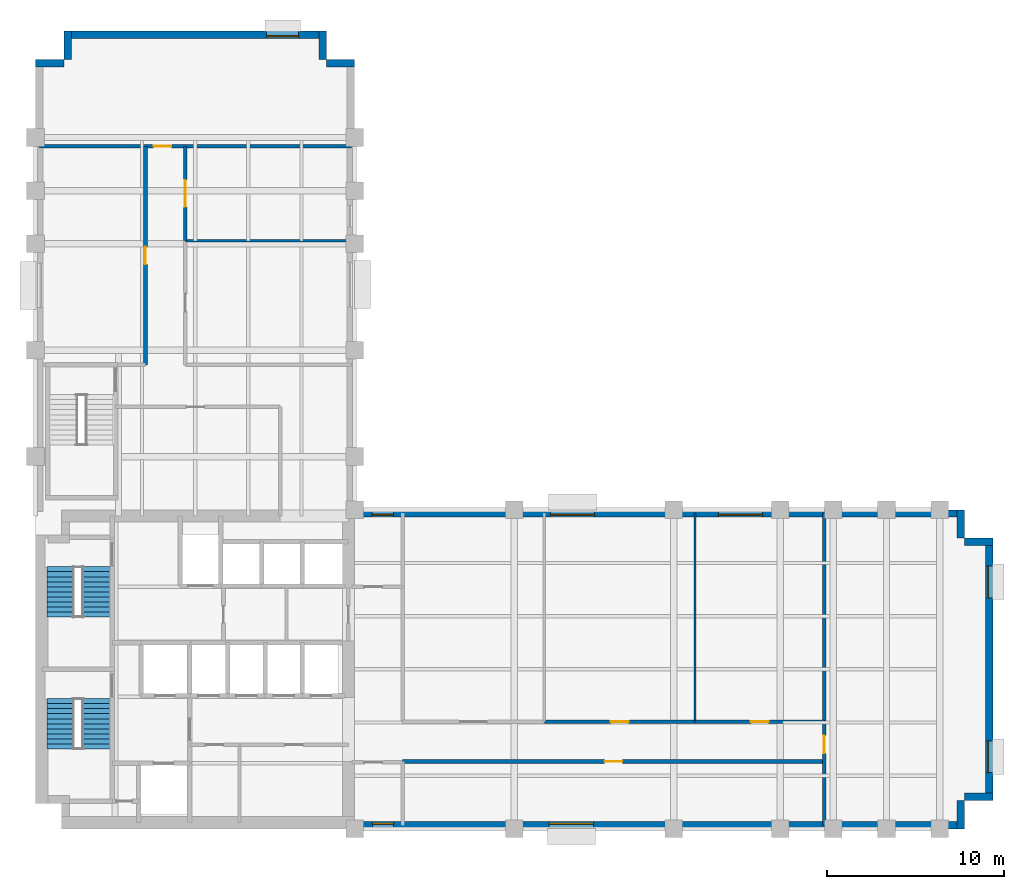
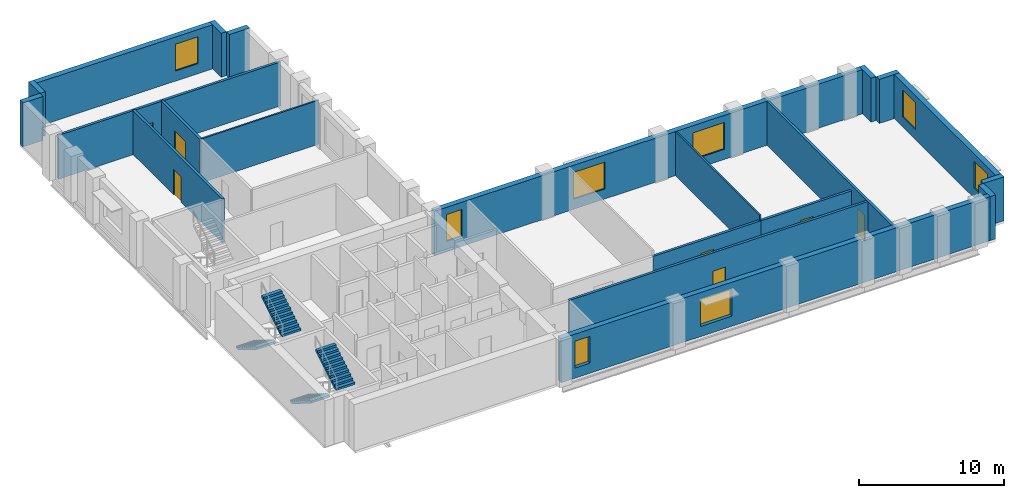
# One storey, part 5 of 8: 21 walls, 8 windows, 7 doors, 4 stair flights, 15 openings, 2 elements without a shape of their own.
"""IFC4 building model written with IfcOpenShell, lengths in metres."""

from ifc_helpers import new_model, si_unit, direction, frame, frame_2d, origin, place, context, subcontext, project, spatial, polyline, rectangle, outline, extrude, material, layer, layer_set, type_object, element, fill, aggregate, save


model = new_model("IFC4")

# Units and contexts
model_context = context("Model", 3, precision=1e-05, world=origin(), true_north=direction((0.0, 1.0)))
body_context = subcontext(model_context, "Body", "Model", "MODEL_VIEW")
ifc_project = project(units=[si_unit("LENGTHUNIT", "METRE"), si_unit("AREAUNIT", "SQUARE_METRE"), si_unit("VOLUMEUNIT", "CUBIC_METRE"), si_unit("PLANEANGLEUNIT", "RADIAN"), si_unit("MASSUNIT", "GRAM", prefix="KILO")], contexts=[model_context])

# Site, building, storey
site_placement = place(None, origin())
site = spatial("IfcSite", under=ifc_project, at=site_placement, CompositionType="ELEMENT")
building_placement = place(site_placement, origin())
building = spatial("IfcBuilding", under=site, at=building_placement, Name="Mawjdan Bourse Tower", CompositionType="ELEMENT")
storey_placement = place(building_placement, frame((0.0, 0.0, 144.0)))
storey = spatial("IfcBuildingStorey", under=building, at=storey_placement, Name="L34", CompositionType="ELEMENT", Elevation=144.0)

# Wall, openings, windows
ifc_material_1 = material(Name="Brick Masonry Buff", Category="masonry")
ifc_layer_1 = layer(ifc_material_1, 0.419921875)
ifc_layer_set_1 = layer_set([ifc_layer_1], Name="Brick Masonry Buff")
wall_type_1 = type_object("IfcWallType", Name="WL-BRK-BUFF-420", PredefinedType="STANDARD", material=ifc_layer_set_1)
wall_1_placement = place(storey_placement, frame((23.89990234375, 3.2099609375, 0.0), z_axis=(0.0, 0.0, 1.0), x_axis=(1.0, 0.0, 0.0)))
wall_1 = element("IfcWall", 1, at=wall_1_placement, inside=storey, type_object=wall_type_1, Name="L34 Exterior Brick Wall 1", PredefinedType="STANDARD", context=body_context, shape_type="SweptSolid", body=[
    extrude(rectangle(XDim=34.5, YDim=0.419921875, at=frame_2d((17.25, 0.0))), origin(), (0.0, 0.0, 1.0), 3.699951171875),
])
opening_1_placement = place(wall_1_placement, frame((11.0712890625, 0.0, 0.85009765625)))
opening_1 = element("IfcOpeningElement", 2, at=opening_1_placement, cuts=wall_1, Name="Opening W-L34-01", PredefinedType="OPENING", context=body_context, shape_type="SweptSolid", body=[
    extrude(rectangle(XDim=2.5, YDim=2.25, at=frame_2d((1.25, 1.125))), frame((0.0, 0.219970703125, 0.0), z_axis=(0.0, -1.0, 0.0), x_axis=(1.0, 0.0, 0.0)), (0.0, 0.0, 1.0), 0.43994140625),
])
opening_2_placement = place(wall_1_placement, frame((1.10009765625, 0.0, 0.85009765625)))
opening_2 = element("IfcOpeningElement", 3, at=opening_2_placement, cuts=wall_1, Name="Opening W-L34-08", PredefinedType="OPENING", context=body_context, shape_type="SweptSolid", body=[
    extrude(rectangle(XDim=1.199951171875, YDim=2.25, at=frame_2d((0.60009765625, 1.125))), frame((0.0, 0.219970703125, 0.0), z_axis=(0.0, -1.0, 0.0), x_axis=(1.0, 0.0, 0.0)), (0.0, 0.0, 1.0), 0.43994140625),
])
ifc_material_2 = material(Name="Solar-Control Clear Double Glazing", Category="glass")
window_type_1 = type_object("IfcWindowType", Name="WN-Z2-1200", PartitioningType="SINGLE_PANEL", PredefinedType="WINDOW", material=ifc_material_2)
window_1_placement = place(opening_2_placement, origin())
window_1 = element("IfcWindow", 4, at=window_1_placement, inside=storey, type_object=window_type_1, Name="L34 Deep-Set Masonry Window W-L34-08", OverallHeight=2.25, OverallWidth=1.199951171875, PartitioningType="SINGLE_PANEL", PredefinedType="WINDOW", context=body_context, shape_type="SweptSolid", body=[
    extrude(rectangle(XDim=1.199951171875, YDim=2.25, at=frame_2d((0.60009765625, 1.125))), frame((0.0, 0.110107421875, 0.0), z_axis=(0.0, -1.0, 0.0), x_axis=(1.0, 0.0, 0.0)), (0.0, 0.0, 1.0), 0.06005859375),
])
fill(opening_2, window_1)
window_type_2 = type_object("IfcWindowType", Name="WN-Z2-2500", PartitioningType="SINGLE_PANEL", PredefinedType="WINDOW", material=ifc_material_2)
window_2_placement = place(opening_1_placement, origin())
window_2 = element("IfcWindow", 5, at=window_2_placement, inside=storey, type_object=window_type_2, Name="L34 Deep-Set Masonry Window W-L34-01", OverallHeight=2.25, OverallWidth=2.5, PartitioningType="SINGLE_PANEL", PredefinedType="WINDOW", context=body_context, shape_type="SweptSolid", body=[
    extrude(rectangle(XDim=2.5, YDim=2.25, at=frame_2d((1.25, 1.125))), frame((0.0, 0.110107421875, 0.0), z_axis=(0.0, -1.0, 0.0), x_axis=(1.0, 0.0, 0.0)), (0.0, 0.0, 1.0), 0.06005859375),
])
fill(opening_1, window_2)

# Walls
for number, where, z_axis, x_axis, name in (
    (6, (58.18994140625, 3.0, 0.0), (0.0, 0.0, 1.0), (0.0, 1.0, 0.0), "L34 Exterior Brick Wall 2"),
    (7, (58.39990234375, 4.81005859375, 0.0), (0.0, 0.0, 1.0), (1.0, 0.0, 0.0), "L34 Exterior Brick Wall 3"),
):
    element("IfcWall", number, at=place(storey_placement, frame(where, z_axis=z_axis, x_axis=x_axis)), inside=storey, type_object=wall_type_1, Name=name, PredefinedType="STANDARD", context=body_context, shape_type="SweptSolid", body=[
        extrude(rectangle(XDim=1.60009765625, YDim=0.419921875, at=frame_2d((0.800048828125, 0.0))), origin(), (0.0, 0.0, 1.0), 3.699951171875),
    ])

# Wall, openings, windows
wall_2_placement = place(storey_placement, frame((59.7900390625, 4.60009765625, 0.0), z_axis=(0.0, 0.0, 1.0), x_axis=(0.0, 1.0, 0.0)))
wall_2 = element("IfcWall", 8, at=wall_2_placement, inside=storey, type_object=wall_type_1, Name="L34 Exterior Brick Wall 4", PredefinedType="STANDARD", context=body_context, shape_type="SweptSolid", body=[
    extrude(rectangle(XDim=14.7998046875, YDim=0.419921875, at=frame_2d((7.39990234375, 0.0))), origin(), (0.0, 0.0, 1.0), 3.699951171875),
])
opening_3_placement = place(wall_2_placement, frame((1.566650390625, 0.0, 0.85009765625)))
opening_3 = element("IfcOpeningElement", 9, at=opening_3_placement, cuts=wall_2, Name="Opening W-L34-02", PredefinedType="OPENING", context=body_context, shape_type="SweptSolid", body=[
    extrude(rectangle(XDim=1.800048828125, YDim=2.25, at=frame_2d((0.89990234375, 1.125))), frame((0.0, 0.219970703125, 0.0), z_axis=(0.0, -1.0, 0.0), x_axis=(1.0, 0.0, 0.0)), (0.0, 0.0, 1.0), 0.43994140625),
])
opening_4_placement = place(wall_2_placement, frame((11.433349609375, 0.0, 0.85009765625)))
opening_4 = element("IfcOpeningElement", 10, at=opening_4_placement, cuts=wall_2, Name="Opening W-L34-03", PredefinedType="OPENING", context=body_context, shape_type="SweptSolid", body=[
    extrude(rectangle(XDim=1.800048828125, YDim=2.25, at=frame_2d((0.89990234375, 1.125))), frame((0.0, 0.219970703125, 0.0), z_axis=(0.0, -1.0, 0.0), x_axis=(1.0, 0.0, 0.0)), (0.0, 0.0, 1.0), 0.43994140625),
])
window_type_3 = type_object("IfcWindowType", Name="WN-Z2-1800", PartitioningType="SINGLE_PANEL", PredefinedType="WINDOW", material=ifc_material_2)
window_3_placement = place(opening_3_placement, origin())
window_3 = element("IfcWindow", 11, at=window_3_placement, inside=storey, type_object=window_type_3, Name="L34 Deep-Set Masonry Window W-L34-02", OverallHeight=2.25, OverallWidth=1.800048828125, PartitioningType="SINGLE_PANEL", PredefinedType="WINDOW", context=body_context, shape_type="SweptSolid", body=[
    extrude(rectangle(XDim=1.800048828125, YDim=2.25, at=frame_2d((0.89990234375, 1.125))), frame((0.0, 0.110107421875, 0.0), z_axis=(0.0, -1.0, 0.0), x_axis=(1.0, 0.0, 0.0)), (0.0, 0.0, 1.0), 0.06005859375),
])
fill(opening_3, window_3)
window_4_placement = place(opening_4_placement, origin())
window_4 = element("IfcWindow", 12, at=window_4_placement, inside=storey, type_object=window_type_3, Name="L34 Deep-Set Masonry Window W-L34-03", OverallHeight=2.25, OverallWidth=1.800048828125, PartitioningType="SINGLE_PANEL", PredefinedType="WINDOW", context=body_context, shape_type="SweptSolid", body=[
    extrude(rectangle(XDim=1.800048828125, YDim=2.25, at=frame_2d((0.89990234375, 1.125))), frame((0.0, 0.110107421875, 0.0), z_axis=(0.0, -1.0, 0.0), x_axis=(1.0, 0.0, 0.0)), (0.0, 0.0, 1.0), 0.06005859375),
])
fill(opening_4, window_4)

# Walls
for number, where, z_axis, x_axis, name in (
    (13, (60.0, 19.18994140625, 0.0), (0.0, 0.0, 1.0), (-1.0, 0.0, 0.0), "L34 Exterior Brick Wall 5"),
    (14, (58.18994140625, 19.39990234375, 0.0), (0.0, 0.0, 1.0), (0.0, 1.0, 0.0), "L34 Exterior Brick Wall 6"),
):
    element("IfcWall", number, at=place(storey_placement, frame(where, z_axis=z_axis, x_axis=x_axis)), inside=storey, type_object=wall_type_1, Name=name, PredefinedType="STANDARD", context=body_context, shape_type="SweptSolid", body=[
        extrude(rectangle(XDim=1.60009765625, YDim=0.419921875, at=frame_2d((0.800048828125, 0.0))), origin(), (0.0, 0.0, 1.0), 3.699951171875),
    ])

# Wall, openings, windows
wall_3_placement = place(storey_placement, frame((58.39990234375, 20.7900390625, 0.0), z_axis=(0.0, 0.0, 1.0), x_axis=(-1.0, 0.0, 0.0)))
wall_3 = element("IfcWall", 15, at=wall_3_placement, inside=storey, type_object=wall_type_1, Name="L34 Exterior Brick Wall 7", PredefinedType="STANDARD", context=body_context, shape_type="SweptSolid", body=[
    extrude(rectangle(XDim=34.39990234375, YDim=0.419921875, at=frame_2d((17.199951171875, 0.0))), origin(), (0.0, 0.0, 1.0), 3.699951171875),
])
opening_5_placement = place(wall_3_placement, frame((20.8642578125, 0.0, 0.85009765625)))
opening_5 = element("IfcOpeningElement", 16, at=opening_5_placement, cuts=wall_3, Name="Opening W-L34-04", PredefinedType="OPENING", context=body_context, shape_type="SweptSolid", body=[
    extrude(rectangle(XDim=2.5, YDim=2.25, at=frame_2d((1.25, 1.125))), frame((0.0, 0.219970703125, 0.0), z_axis=(0.0, -1.0, 0.0), x_axis=(1.0, 0.0, 0.0)), (0.0, 0.0, 1.0), 0.43994140625),
])
opening_6_placement = place(wall_3_placement, frame((32.22216796875, 0.0, 0.85009765625)))
opening_6 = element("IfcOpeningElement", 17, at=opening_6_placement, cuts=wall_3, Name="Opening W-L34-09", PredefinedType="OPENING", context=body_context, shape_type="SweptSolid", body=[
    extrude(rectangle(XDim=1.199951171875, YDim=2.25, at=frame_2d((0.60009765625, 1.125))), frame((0.0, 0.219970703125, 0.0), z_axis=(0.0, -1.0, 0.0), x_axis=(1.0, 0.0, 0.0)), (0.0, 0.0, 1.0), 0.43994140625),
])
opening_7_placement = place(wall_3_placement, frame((11.38623046875, 0.0, 0.85009765625)))
opening_7 = element("IfcOpeningElement", 18, at=opening_7_placement, cuts=wall_3, Name="Opening W-L34-10", PredefinedType="OPENING", context=body_context, shape_type="SweptSolid", body=[
    extrude(rectangle(XDim=2.5, YDim=2.25, at=frame_2d((1.25, 1.125))), frame((0.0, 0.219970703125, 0.0), z_axis=(0.0, -1.0, 0.0), x_axis=(1.0, 0.0, 0.0)), (0.0, 0.0, 1.0), 0.43994140625),
])
window_5_placement = place(opening_6_placement, origin())
window_5 = element("IfcWindow", 19, at=window_5_placement, inside=storey, type_object=window_type_1, Name="L34 Deep-Set Masonry Window W-L34-09", OverallHeight=2.25, OverallWidth=1.199951171875, PartitioningType="SINGLE_PANEL", PredefinedType="WINDOW", context=body_context, shape_type="SweptSolid", body=[
    extrude(rectangle(XDim=1.199951171875, YDim=2.25, at=frame_2d((0.60009765625, 1.125))), frame((0.0, 0.110107421875, 0.0), z_axis=(0.0, -1.0, 0.0), x_axis=(1.0, 0.0, 0.0)), (0.0, 0.0, 1.0), 0.06005859375),
])
fill(opening_6, window_5)
window_6_placement = place(opening_5_placement, origin())
window_6 = element("IfcWindow", 20, at=window_6_placement, inside=storey, type_object=window_type_2, Name="L34 Deep-Set Masonry Window W-L34-04", OverallHeight=2.25, OverallWidth=2.5, PartitioningType="SINGLE_PANEL", PredefinedType="WINDOW", context=body_context, shape_type="SweptSolid", body=[
    extrude(rectangle(XDim=2.5, YDim=2.25, at=frame_2d((1.25, 1.125))), frame((0.0, 0.110107421875, 0.0), z_axis=(0.0, -1.0, 0.0), x_axis=(1.0, 0.0, 0.0)), (0.0, 0.0, 1.0), 0.06005859375),
])
fill(opening_5, window_6)
window_7_placement = place(opening_7_placement, origin())
window_7 = element("IfcWindow", 21, at=window_7_placement, inside=storey, type_object=window_type_2, Name="L34 Deep-Set Masonry Window W-L34-10", OverallHeight=2.25, OverallWidth=2.5, PartitioningType="SINGLE_PANEL", PredefinedType="WINDOW", context=body_context, shape_type="SweptSolid", body=[
    extrude(rectangle(XDim=2.5, YDim=2.25, at=frame_2d((1.25, 1.125))), frame((0.0, 0.110107421875, 0.0), z_axis=(0.0, -1.0, 0.0), x_axis=(1.0, 0.0, 0.0)), (0.0, 0.0, 1.0), 0.06005859375),
])
fill(opening_7, window_7)

# Walls
for number, where, z_axis, x_axis, name in (
    (22, (24.0, 46.18994140625, 0.0), (0.0, 0.0, 1.0), (-1.0, 0.0, 0.0), "L34 Exterior Brick Wall 9"),
    (23, (22.18994140625, 46.39990234375, 0.0), (0.0, 0.0, 1.0), (0.0, 1.0, 0.0), "L34 Exterior Brick Wall 10"),
):
    element("IfcWall", number, at=place(storey_placement, frame(where, z_axis=z_axis, x_axis=x_axis)), inside=storey, type_object=wall_type_1, Name=name, PredefinedType="STANDARD", context=body_context, shape_type="SweptSolid", body=[
        extrude(rectangle(XDim=1.60009765625, YDim=0.419921875, at=frame_2d((0.800048828125, 0.0))), origin(), (0.0, 0.0, 1.0), 3.699951171875),
    ])

# Wall, opening, window
wall_4_placement = place(storey_placement, frame((22.39990234375, 47.7900390625, 0.0), z_axis=(0.0, 0.0, 1.0), x_axis=(-1.0, 0.0, 0.0)))
wall_4 = element("IfcWall", 24, at=wall_4_placement, inside=storey, type_object=wall_type_1, Name="L34 Exterior Brick Wall 11", PredefinedType="STANDARD", context=body_context, shape_type="SweptSolid", body=[
    extrude(rectangle(XDim=14.7998046875, YDim=0.419921875, at=frame_2d((7.39990234375, 0.0))), origin(), (0.0, 0.0, 1.0), 3.699951171875),
])
opening_8_placement = place(wall_4_placement, frame((1.566650390625, 0.0, 0.85009765625)))
opening_8 = element("IfcOpeningElement", 25, at=opening_8_placement, cuts=wall_4, Name="Opening W-L34-06", PredefinedType="OPENING", context=body_context, shape_type="SweptSolid", body=[
    extrude(rectangle(XDim=1.800048828125, YDim=2.25, at=frame_2d((0.89990234375, 1.125))), frame((0.0, 0.219970703125, 0.0), z_axis=(0.0, -1.0, 0.0), x_axis=(1.0, 0.0, 0.0)), (0.0, 0.0, 1.0), 0.43994140625),
])
window_8_placement = place(opening_8_placement, origin())
window_8 = element("IfcWindow", 26, at=window_8_placement, inside=storey, type_object=window_type_3, Name="L34 Deep-Set Masonry Window W-L34-06", OverallHeight=2.25, OverallWidth=1.800048828125, PartitioningType="SINGLE_PANEL", PredefinedType="WINDOW", context=body_context, shape_type="SweptSolid", body=[
    extrude(rectangle(XDim=1.800048828125, YDim=2.25, at=frame_2d((0.89990234375, 1.125))), frame((0.0, 0.110107421875, 0.0), z_axis=(0.0, -1.0, 0.0), x_axis=(1.0, 0.0, 0.0)), (0.0, 0.0, 1.0), 0.06005859375),
])
fill(opening_8, window_8)

# Walls
for number, where, z_axis, x_axis, name in (
    (27, (7.81005859375, 48.0, 0.0), (0.0, 0.0, 1.0), (0.0, -1.0, 0.0), "L34 Exterior Brick Wall 12"),
    (28, (7.60009765625, 46.18994140625, 0.0), (0.0, 0.0, 1.0), (-1.0, 0.0, 0.0), "L34 Exterior Brick Wall 13"),
):
    element("IfcWall", number, at=place(storey_placement, frame(where, z_axis=z_axis, x_axis=x_axis)), inside=storey, type_object=wall_type_1, Name=name, PredefinedType="STANDARD", context=body_context, shape_type="SweptSolid", body=[
        extrude(rectangle(XDim=1.60009765625, YDim=0.419921875, at=frame_2d((0.800048828125, 0.0))), origin(), (0.0, 0.0, 1.0), 3.699951171875),
    ])

# Wall, opening, door
ifc_material_3 = material(Name="Gypsum Fireboard Assembly")
ifc_layer_2 = layer(ifc_material_3, 0.199951171875)
ifc_layer_set_2 = layer_set([ifc_layer_2], Name="Gypsum Fireboard Assembly")
wall_type_2 = type_object("IfcWallType", Name="WL-CMP-200", PredefinedType="PARTITIONING", material=ifc_layer_set_2)
wall_5_placement = place(storey_placement, frame((26.699951171875, 6.800048828125, 0.0), z_axis=(0.0, 0.0, 1.0), x_axis=(1.0, 0.0, 0.0)))
wall_5 = element("IfcWall", 29, at=wall_5_placement, inside=storey, type_object=wall_type_2, Name="L34 Equities Research Library Corridor Wall", PredefinedType="PARTITIONING", context=body_context, shape_type="SweptSolid", body=[
    extrude(rectangle(XDim=23.800048828125, YDim=0.199951171875, at=frame_2d((11.89990234375, 0.0))), origin(), (0.0, 0.0, 1.0), 3.68994140625),
])
opening_9_placement = place(wall_5_placement, frame((11.39990234375, 0.0, 0.0)))
opening_9 = element("IfcOpeningElement", 30, at=opening_9_placement, cuts=wall_5, Name="Opening D-L34-21", PredefinedType="OPENING", context=body_context, shape_type="SweptSolid", body=[
    extrude(rectangle(XDim=1.0, YDim=2.14990234375, at=frame_2d((0.5, 1.074951171875))), frame((0.0, 0.10986328125, 0.0), z_axis=(0.0, -1.0, 0.0), x_axis=(1.0, 0.0, 0.0)), (0.0, 0.0, 1.0), 0.219970703125),
])
ifc_material_4 = material(Name="Hardwood Acoustic Leaf", Category="wood")
door_type_1 = type_object("IfcDoorType", Name="DR-OFC-1000", OperationType="NOTDEFINED", PredefinedType="DOOR", material=ifc_material_4)
door_1_placement = place(opening_9_placement, origin())
door_1 = element("IfcDoor", 31, at=door_1_placement, inside=storey, type_object=door_type_1, Name="L34 Equities Research Library Door D-L34-21", OperationType="SINGLE_SWING_RIGHT", OverallHeight=2.14990234375, OverallWidth=1.0, PredefinedType="DOOR", context=body_context, shape_type="SweptSolid", body=[
    extrude(rectangle(XDim=1.0, YDim=2.14990234375, at=frame_2d((0.5, 1.074951171875))), frame((0.0, 0.02490234375, 0.0), z_axis=(0.0, -1.0, 0.0), x_axis=(1.0, 0.0, 0.0)), (0.0, 0.0, 1.0), 0.050048828125),
])
fill(opening_9, door_1)

wall_6_placement = place(storey_placement, frame((34.699951171875, 9.050048828125, 0.0), z_axis=(0.0, 0.0, 1.0), x_axis=(1.0, 0.0, 0.0)))
wall_6 = element("IfcWall", 32, at=wall_6_placement, inside=storey, type_object=wall_type_2, Name="L34 Executive Office Corridor Wall", PredefinedType="PARTITIONING", context=body_context, shape_type="SweptSolid", body=[
    extrude(rectangle(XDim=8.5, YDim=0.199951171875, at=frame_2d((4.25, 0.0))), origin(), (0.0, 0.0, 1.0), 3.23291015625),
])
opening_10_placement = place(wall_6_placement, frame((3.75, 0.0, 0.0)))
opening_10 = element("IfcOpeningElement", 33, at=opening_10_placement, cuts=wall_6, Name="Opening D-L34-23", PredefinedType="OPENING", context=body_context, shape_type="SweptSolid", body=[
    extrude(rectangle(XDim=1.0, YDim=2.14990234375, at=frame_2d((0.5, 1.074951171875))), frame((0.0, 0.10986328125, 0.0), z_axis=(0.0, -1.0, 0.0), x_axis=(1.0, 0.0, 0.0)), (0.0, 0.0, 1.0), 0.219970703125),
])
door_2_placement = place(opening_10_placement, origin())
door_2 = element("IfcDoor", 34, at=door_2_placement, inside=storey, type_object=door_type_1, Name="L34 Executive Office Door D-L34-23", OperationType="SINGLE_SWING_LEFT", OverallHeight=2.14990234375, OverallWidth=1.0, PredefinedType="DOOR", context=body_context, shape_type="SweptSolid", body=[
    extrude(rectangle(XDim=1.0, YDim=2.14990234375, at=frame_2d((0.5, 1.074951171875))), frame((0.0, 0.02490234375, 0.0), z_axis=(0.0, -1.0, 0.0), x_axis=(1.0, 0.0, 0.0)), (0.0, 0.0, 1.0), 0.050048828125),
])
fill(opening_10, door_2)

wall_7_placement = place(storey_placement, frame((43.199951171875, 9.050048828125, 0.0), z_axis=(0.0, 0.0, 1.0), x_axis=(1.0, 0.0, 0.0)))
wall_7 = element("IfcWall", 35, at=wall_7_placement, inside=storey, type_object=wall_type_2, Name="L34 Client Advisory Suite Corridor Wall", PredefinedType="PARTITIONING", context=body_context, shape_type="SweptSolid", body=[
    extrude(rectangle(XDim=7.300048828125, YDim=0.199951171875, at=frame_2d((3.64990234375, 0.0))), origin(), (0.0, 0.0, 1.0), 3.23291015625),
])
opening_11_placement = place(wall_7_placement, frame((3.14990234375, 0.0, 0.0)))
opening_11 = element("IfcOpeningElement", 36, at=opening_11_placement, cuts=wall_7, Name="Opening D-L34-24", PredefinedType="OPENING", context=body_context, shape_type="SweptSolid", body=[
    extrude(rectangle(XDim=1.0, YDim=2.14990234375, at=frame_2d((0.5, 1.074951171875))), frame((0.0, 0.10986328125, 0.0), z_axis=(0.0, -1.0, 0.0), x_axis=(1.0, 0.0, 0.0)), (0.0, 0.0, 1.0), 0.219970703125),
])
door_3_placement = place(opening_11_placement, origin())
door_3 = element("IfcDoor", 37, at=door_3_placement, inside=storey, type_object=door_type_1, Name="L34 Client Advisory Suite Door D-L34-24", OperationType="SINGLE_SWING_RIGHT", OverallHeight=2.14990234375, OverallWidth=1.0, PredefinedType="DOOR", context=body_context, shape_type="SweptSolid", body=[
    extrude(rectangle(XDim=1.0, YDim=2.14990234375, at=frame_2d((0.5, 1.074951171875))), frame((0.0, 0.02490234375, 0.0), z_axis=(0.0, -1.0, 0.0), x_axis=(1.0, 0.0, 0.0)), (0.0, 0.0, 1.0), 0.050048828125),
])
fill(opening_11, door_3)

wall_8_placement = place(storey_placement, frame((50.5, 3.179931640625, 0.0), z_axis=(0.0, 0.0, 1.0), x_axis=(0.0, 1.0, 0.0)))
wall_8 = element("IfcWall", 38, at=wall_8_placement, inside=storey, type_object=wall_type_2, Name="L34 East Tip Full Cross Wall", PredefinedType="PARTITIONING", context=body_context, shape_type="SweptSolid", body=[
    extrude(rectangle(XDim=17.64013671875, YDim=0.199951171875, at=frame_2d((8.820068359375, 0.0))), origin(), (0.0, 0.0, 1.0), 3.68994140625),
])
opening_12_placement = place(wall_8_placement, frame((4.074951171875, 0.0, 0.0)))
opening_12 = element("IfcOpeningElement", 39, at=opening_12_placement, cuts=wall_8, Name="Opening D-L34-25", PredefinedType="OPENING", context=body_context, shape_type="SweptSolid", body=[
    extrude(rectangle(XDim=1.0, YDim=2.14990234375, at=frame_2d((0.5, 1.074951171875))), frame((0.0, 0.10986328125, 0.0), z_axis=(0.0, -1.0, 0.0), x_axis=(1.0, 0.0, 0.0)), (0.0, 0.0, 1.0), 0.219970703125),
])
door_4_placement = place(opening_12_placement, origin())
door_4 = element("IfcDoor", 40, at=door_4_placement, inside=storey, type_object=door_type_1, Name="L34 East Tip Hall Door D-L34-25", OperationType="SINGLE_SWING_LEFT", OverallHeight=2.14990234375, OverallWidth=1.0, PredefinedType="DOOR", context=body_context, shape_type="SweptSolid", body=[
    extrude(rectangle(XDim=1.0, YDim=2.14990234375, at=frame_2d((0.5, 1.074951171875))), frame((0.0, 0.02490234375, 0.0), z_axis=(0.0, -1.0, 0.0), x_axis=(1.0, 0.0, 0.0)), (0.0, 0.0, 1.0), 0.050048828125),
])
fill(opening_12, door_4)

wall_9_placement = place(storey_placement, frame((12.199951171875, 29.179931640625, 0.0), z_axis=(0.0, 0.0, 1.0), x_axis=(0.0, 1.0, 0.0)))
wall_9 = element("IfcWall", 41, at=wall_9_placement, inside=storey, type_object=wall_type_2, Name="L34 Investor Relations Office Corridor Wall", PredefinedType="PARTITIONING", context=body_context, shape_type="SweptSolid", body=[
    extrude(rectangle(XDim=12.320068359375, YDim=0.199951171875, at=frame_2d((6.16015625, 0.0))), origin(), (0.0, 0.0, 1.0), 3.68994140625),
])
opening_13_placement = place(wall_9_placement, frame((5.659912109375, 0.0, 0.0)))
opening_13 = element("IfcOpeningElement", 42, at=opening_13_placement, cuts=wall_9, Name="Opening D-L34-27", PredefinedType="OPENING", context=body_context, shape_type="SweptSolid", body=[
    extrude(rectangle(XDim=1.0, YDim=2.14990234375, at=frame_2d((0.5, 1.074951171875))), frame((0.0, 0.10986328125, 0.0), z_axis=(0.0, -1.0, 0.0), x_axis=(1.0, 0.0, 0.0)), (0.0, 0.0, 1.0), 0.219970703125),
])
door_5_placement = place(opening_13_placement, origin())
door_5 = element("IfcDoor", 43, at=door_5_placement, inside=storey, type_object=door_type_1, Name="L34 Investor Relations Office Door D-L34-27", OperationType="SINGLE_SWING_LEFT", OverallHeight=2.14990234375, OverallWidth=1.0, PredefinedType="DOOR", context=body_context, shape_type="SweptSolid", body=[
    extrude(rectangle(XDim=1.0, YDim=2.14990234375, at=frame_2d((0.5, 1.074951171875))), frame((0.0, 0.02490234375, 0.0), z_axis=(0.0, -1.0, 0.0), x_axis=(1.0, 0.0, 0.0)), (0.0, 0.0, 1.0), 0.050048828125),
])
fill(opening_13, door_5)

wall_10_placement = place(storey_placement, frame((14.449951171875, 36.179931640625, 0.0), z_axis=(0.0, 0.0, 1.0), x_axis=(0.0, 1.0, 0.0)))
wall_10 = element("IfcWall", 44, at=wall_10_placement, inside=storey, type_object=wall_type_2, Name="L34 Client Advisory Suite Corridor Wall", PredefinedType="PARTITIONING", context=body_context, shape_type="SweptSolid", body=[
    extrude(rectangle(XDim=5.320068359375, YDim=0.199951171875, at=frame_2d((2.66015625, 0.0))), origin(), (0.0, 0.0, 1.0), 3.68994140625),
])
opening_14_placement = place(wall_10_placement, frame((1.909912109375, 0.0, 0.0)))
opening_14 = element("IfcOpeningElement", 45, at=opening_14_placement, cuts=wall_10, Name="Opening D-L34-29", PredefinedType="OPENING", context=body_context, shape_type="SweptSolid", body=[
    extrude(rectangle(XDim=1.5, YDim=2.300048828125, at=frame_2d((0.75, 1.14990234375))), frame((0.0, 0.10986328125, 0.0), z_axis=(0.0, -1.0, 0.0), x_axis=(1.0, 0.0, 0.0)), (0.0, 0.0, 1.0), 0.219970703125),
])
ifc_material_5 = material(Name="Acoustic Glazed Timber", Category="wood")
door_type_2 = type_object("IfcDoorType", Name="DR-CNF-1500", OperationType="DOUBLE_DOOR_SINGLE_SWING", PredefinedType="DOOR", material=ifc_material_5)
door_6_placement = place(opening_14_placement, origin())
door_6 = element("IfcDoor", 46, at=door_6_placement, inside=storey, type_object=door_type_2, Name="L34 Client Advisory Suite Door D-L34-29", OperationType="DOUBLE_DOOR_SINGLE_SWING", OverallHeight=2.300048828125, OverallWidth=1.5, PredefinedType="DOOR", context=body_context, shape_type="SweptSolid", body=[
    extrude(rectangle(XDim=1.5, YDim=2.300048828125, at=frame_2d((0.75, 1.14990234375))), frame((0.0, 0.02490234375, 0.0), z_axis=(0.0, -1.0, 0.0), x_axis=(1.0, 0.0, 0.0)), (0.0, 0.0, 1.0), 0.050048828125),
])
fill(opening_14, door_6)

wall_11_placement = place(storey_placement, frame((6.179931640625, 41.5, 0.0), z_axis=(0.0, 0.0, 1.0), x_axis=(1.0, 0.0, 0.0)))
wall_11 = element("IfcWall", 47, at=wall_11_placement, inside=storey, type_object=wall_type_2, Name="L34 North Tip Full Cross Wall", PredefinedType="PARTITIONING", context=body_context, shape_type="SweptSolid", body=[
    extrude(rectangle(XDim=17.64013671875, YDim=0.199951171875, at=frame_2d((8.820068359375, 0.0))), origin(), (0.0, 0.0, 1.0), 3.68994140625),
])
opening_15_placement = place(wall_11_placement, frame((6.47509765625, 0.0, 0.0)))
opening_15 = element("IfcOpeningElement", 48, at=opening_15_placement, cuts=wall_11, Name="Opening D-L34-30", PredefinedType="OPENING", context=body_context, shape_type="SweptSolid", body=[
    extrude(rectangle(XDim=1.0, YDim=2.14990234375, at=frame_2d((0.5, 1.074951171875))), frame((0.0, 0.10986328125, 0.0), z_axis=(0.0, -1.0, 0.0), x_axis=(1.0, 0.0, 0.0)), (0.0, 0.0, 1.0), 0.219970703125),
])
door_7_placement = place(opening_15_placement, origin())
door_7 = element("IfcDoor", 49, at=door_7_placement, inside=storey, type_object=door_type_1, Name="L34 North Tip Suite Door D-L34-30", OperationType="SINGLE_SWING_LEFT", OverallHeight=2.14990234375, OverallWidth=1.0, PredefinedType="DOOR", context=body_context, shape_type="SweptSolid", body=[
    extrude(rectangle(XDim=1.0, YDim=2.14990234375, at=frame_2d((0.5, 1.074951171875))), frame((0.0, 0.02490234375, 0.0), z_axis=(0.0, -1.0, 0.0), x_axis=(1.0, 0.0, 0.0)), (0.0, 0.0, 1.0), 0.050048828125),
])
fill(opening_15, door_7)

# Walls
ifc_material_6 = material(Name="Gypsum Partition")
ifc_layer_3 = layer(ifc_material_6, 0.125)
ifc_layer_set_3 = layer_set([ifc_layer_3], Name="Gypsum Partition")
wall_type_3 = type_object("IfcWallType", Name="WL-PRT-125", PredefinedType="PARTITIONING", material=ifc_layer_set_3)
wall_12_placement = place(storey_placement, frame((43.199951171875, 9.050048828125, 0.0), z_axis=(0.0, 0.0, 1.0), x_axis=(0.0, 1.0, 0.0)))
element("IfcWall", 50, at=wall_12_placement, inside=storey, type_object=wall_type_3, Name="L34 Client Advisory Suite Partition", PredefinedType="PARTITIONING", context=body_context, shape_type="SweptSolid", body=[
    extrude(rectangle(XDim=11.77001953125, YDim=0.125, at=frame_2d((5.885009765625, 0.0))), origin(), (0.0, 0.0, 1.0), 3.68994140625),
])
wall_13_placement = place(storey_placement, frame((14.449951171875, 36.179931640625, 0.0), z_axis=(0.0, 0.0, 1.0), x_axis=(1.0, 0.0, 0.0)))
element("IfcWall", 51, at=wall_13_placement, inside=storey, type_object=wall_type_3, Name="L34 Client Advisory Suite Partition", PredefinedType="PARTITIONING", context=body_context, shape_type="SweptSolid", body=[
    extrude(rectangle(XDim=9.3701171875, YDim=0.125, at=frame_2d((4.68505859375, 0.0))), origin(), (0.0, 0.0, 1.0), 3.68994140625),
])

# Stair, stair flights
ifc_material_7 = material(Name="Concrete C50/60", Category="concrete")
stair_type = type_object("IfcStairType", Name="STR-CORE-1500", PredefinedType="HALF_TURN_STAIR", material=ifc_material_7)
stair_1_placement = place(storey_placement, origin())
stair_1 = element("IfcStair", 52, at=stair_1_placement, inside=storey, type_object=stair_type, Name="L34 Exit Stair 1 (Core South-West)", PredefinedType="HALF_TURN_STAIR")
stair_flight_type = type_object("IfcStairFlightType", Name="SFL-RC-1500", PredefinedType="STRAIGHT", material=ifc_material_7)
stair_flight_1_placement = place(storey_placement, frame((7.389892578125, 10.35009765625, 0.0), z_axis=(0.0, 0.0, 1.0), x_axis=(0.0, -1.0, 0.0)))
stair_flight_1 = element("IfcStairFlight", 53, at=stair_flight_1_placement, type_object=stair_flight_type, Name="ST1-L34 flight 1", NumberOfRisers=11, NumberOfTreads=10, PredefinedType="STRAIGHT", RiserHeight=0.177273, TreadLength=0.285, context=body_context, shape_type="SweptSolid", body=[
    extrude(outline(polyline([(0.0, 0.0), (0.0, 0.17724609375), (0.284912109375, 0.17724609375), (0.284912109375, 0.3544921875), (0.570068359375, 0.3544921875), (0.570068359375, 0.53173828125), (0.85498046875, 0.53173828125), (0.85498046875, 0.708984375), (1.139892578125, 0.708984375), (1.139892578125, 0.886474609375), (1.425048828125, 0.886474609375), (1.425048828125, 1.063720703125), (1.7099609375, 1.063720703125), (1.7099609375, 1.240966796875), (1.9951171875, 1.240966796875), (1.9951171875, 1.418212890625), (2.280029296875, 1.418212890625), (2.280029296875, 1.595458984375), (2.56494140625, 1.595458984375), (2.56494140625, 1.772705078125), (2.85009765625, 1.772705078125), (2.85009765625, 1.949951171875), (2.85009765625, 1.58447265625), (0.302734375, 0.0), (0.0, 0.0)])), frame((0.0, 0.75, 0.0), z_axis=(0.0, -1.0, 0.0), x_axis=(1.0, 0.0, 0.0)), (0.0, 0.0, 1.0), 1.5),
])
stair_flight_2_placement = place(storey_placement, frame((9.409912109375, 7.5, 1.949951171875), z_axis=(0.0, 0.0, 1.0), x_axis=(0.0, 1.0, 0.0)))
stair_flight_2 = element("IfcStairFlight", 54, at=stair_flight_2_placement, type_object=stair_flight_type, Name="ST1-L34 flight 2", NumberOfRisers=11, NumberOfTreads=10, PredefinedType="STRAIGHT", RiserHeight=0.177273, TreadLength=0.285, context=body_context, shape_type="SweptSolid", body=[
    extrude(outline(polyline([(0.0, 0.0), (0.0, 0.17724609375), (0.284912109375, 0.17724609375), (0.284912109375, 0.3544921875), (0.570068359375, 0.3544921875), (0.570068359375, 0.53173828125), (0.85498046875, 0.53173828125), (0.85498046875, 0.708984375), (1.139892578125, 0.708984375), (1.139892578125, 0.886474609375), (1.425048828125, 0.886474609375), (1.425048828125, 1.063720703125), (1.7099609375, 1.063720703125), (1.7099609375, 1.240966796875), (1.9951171875, 1.240966796875), (1.9951171875, 1.418212890625), (2.280029296875, 1.418212890625), (2.280029296875, 1.595458984375), (2.56494140625, 1.595458984375), (2.56494140625, 1.772705078125), (2.85009765625, 1.772705078125), (2.85009765625, 1.949951171875), (2.85009765625, 1.58447265625), (0.302734375, 0.0), (0.0, 0.0)])), frame((0.0, 0.75, 0.0), z_axis=(0.0, -1.0, 0.0), x_axis=(1.0, 0.0, 0.0)), (0.0, 0.0, 1.0), 1.5),
])
aggregate(stair_1, [stair_flight_1, stair_flight_2])

stair_2_placement = place(storey_placement, origin())
stair_2 = element("IfcStair", 55, at=stair_2_placement, inside=storey, type_object=stair_type, Name="L34 Exit Stair 2 (Core North-West)", PredefinedType="HALF_TURN_STAIR")
stair_flight_3_placement = place(storey_placement, frame((7.389892578125, 17.7900390625, 0.0), z_axis=(0.0, 0.0, 1.0), x_axis=(0.0, -1.0, 0.0)))
stair_flight_3 = element("IfcStairFlight", 56, at=stair_flight_3_placement, type_object=stair_flight_type, Name="ST2-L34 flight 1", NumberOfRisers=11, NumberOfTreads=10, PredefinedType="STRAIGHT", RiserHeight=0.177273, TreadLength=0.285, context=body_context, shape_type="SweptSolid", body=[
    extrude(outline(polyline([(0.0, 0.0), (0.0, 0.17724609375), (0.284912109375, 0.17724609375), (0.284912109375, 0.3544921875), (0.570068359375, 0.3544921875), (0.570068359375, 0.53173828125), (0.85498046875, 0.53173828125), (0.85498046875, 0.708984375), (1.139892578125, 0.708984375), (1.139892578125, 0.886474609375), (1.425048828125, 0.886474609375), (1.425048828125, 1.063720703125), (1.7099609375, 1.063720703125), (1.7099609375, 1.240966796875), (1.9951171875, 1.240966796875), (1.9951171875, 1.418212890625), (2.280029296875, 1.418212890625), (2.280029296875, 1.595458984375), (2.56494140625, 1.595458984375), (2.56494140625, 1.772705078125), (2.85009765625, 1.772705078125), (2.85009765625, 1.949951171875), (2.85009765625, 1.58447265625), (0.302734375, 0.0), (0.0, 0.0)])), frame((0.0, 0.75, 0.0), z_axis=(0.0, -1.0, 0.0), x_axis=(1.0, 0.0, 0.0)), (0.0, 0.0, 1.0), 1.5),
])
stair_flight_4_placement = place(storey_placement, frame((9.409912109375, 14.93994140625, 1.949951171875), z_axis=(0.0, 0.0, 1.0), x_axis=(0.0, 1.0, 0.0)))
stair_flight_4 = element("IfcStairFlight", 57, at=stair_flight_4_placement, type_object=stair_flight_type, Name="ST2-L34 flight 2", NumberOfRisers=11, NumberOfTreads=10, PredefinedType="STRAIGHT", RiserHeight=0.177273, TreadLength=0.285, context=body_context, shape_type="SweptSolid", body=[
    extrude(outline(polyline([(0.0, 0.0), (0.0, 0.17724609375), (0.284912109375, 0.17724609375), (0.284912109375, 0.3544921875), (0.570068359375, 0.3544921875), (0.570068359375, 0.53173828125), (0.85498046875, 0.53173828125), (0.85498046875, 0.708984375), (1.139892578125, 0.708984375), (1.139892578125, 0.886474609375), (1.425048828125, 0.886474609375), (1.425048828125, 1.063720703125), (1.7099609375, 1.063720703125), (1.7099609375, 1.240966796875), (1.9951171875, 1.240966796875), (1.9951171875, 1.418212890625), (2.280029296875, 1.418212890625), (2.280029296875, 1.595458984375), (2.56494140625, 1.595458984375), (2.56494140625, 1.772705078125), (2.85009765625, 1.772705078125), (2.85009765625, 1.949951171875), (2.85009765625, 1.58447265625), (0.302734375, 0.0), (0.0, 0.0)])), frame((0.0, 0.75, 0.0), z_axis=(0.0, -1.0, 0.0), x_axis=(1.0, 0.0, 0.0)), (0.0, 0.0, 1.0), 1.5),
])
aggregate(stair_2, [stair_flight_3, stair_flight_4])

save(model, "model.ifc")
